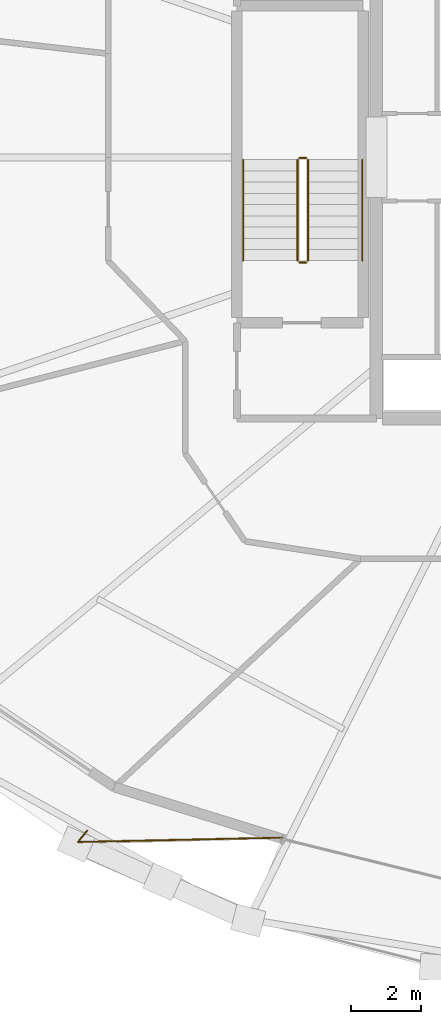
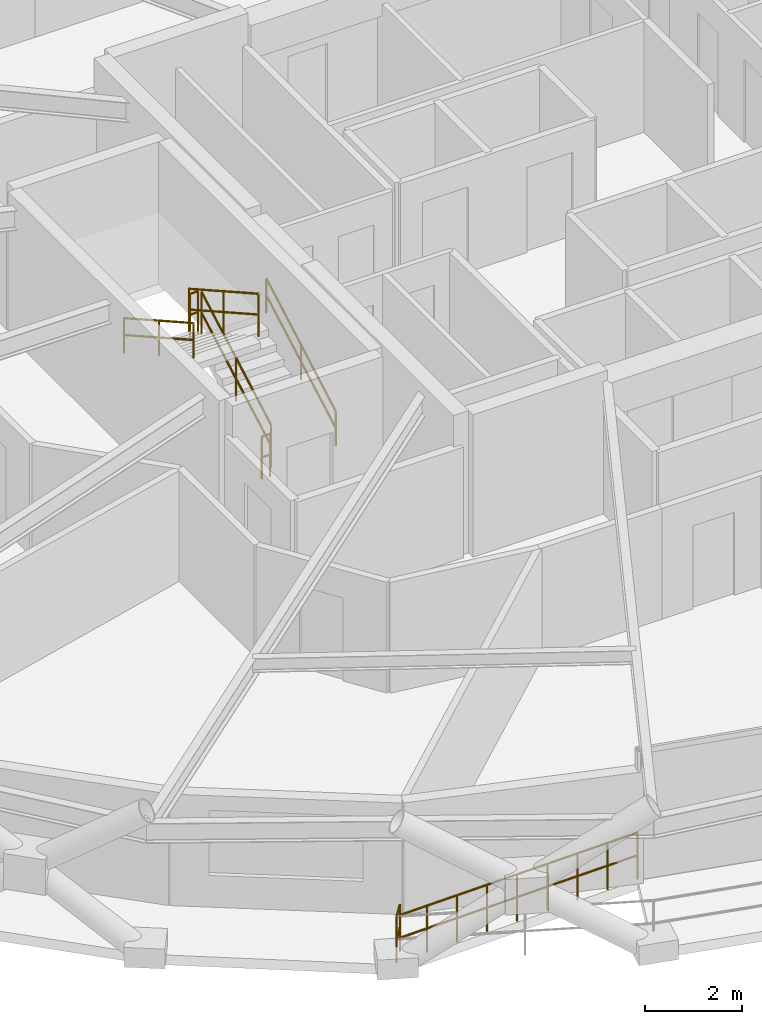
# One storey, part 20 of 22: 7 railings.
"""IFC4 building model written with IfcOpenShell, lengths in metres."""

from ifc_helpers import new_model, si_unit, direction, frame, origin, origin_2d, place, context, subcontext, project, spatial, circle, extrude, material, type_object, element, save


model = new_model("IFC4")

# Units and contexts
model_context = context("Model", 3, precision=1e-05, world=origin(), true_north=direction((0.0, 1.0)))
body_context = subcontext(model_context, "Body", "Model", "MODEL_VIEW")
ifc_project = project(units=[si_unit("LENGTHUNIT", "METRE"), si_unit("AREAUNIT", "SQUARE_METRE"), si_unit("VOLUMEUNIT", "CUBIC_METRE"), si_unit("PLANEANGLEUNIT", "RADIAN"), si_unit("MASSUNIT", "GRAM", prefix="KILO")], contexts=[model_context])

# Site, building, storey
site_placement = place(None, origin())
site = spatial("IfcSite", under=ifc_project, at=site_placement, CompositionType="ELEMENT")
building_placement = place(site_placement, origin())
building = spatial("IfcBuilding", under=site, at=building_placement, Name="Veldorina Hangang Commons", CompositionType="ELEMENT")
storey_placement = place(building_placement, frame((0.0, 0.0, 146.0)))
storey = spatial("IfcBuildingStorey", under=building, at=storey_placement, Name="L37", CompositionType="ELEMENT", Elevation=146.0)

# Railings
ifc_material_1 = material(Name="Glass Laminated Safety Balustrade", Category="glass")
railing_type_1 = type_object("IfcRailingType", Name="RL-BAL-LOGGIA", PredefinedType="BALUSTRADE", material=ifc_material_1)
railing_1_placement = place(storey_placement, frame((16.551513671875, 4.80078125, 0.0)))
element("IfcRailing", 1, at=railing_1_placement, inside=storey, type_object=railing_type_1, Name="L37 sky-garden loggia end balustrade A", PredefinedType="BALUSTRADE", context=body_context, shape_type="SweptSolid", body=[
    extrude(circle(Radius=0.02392578125, at=origin_2d()), frame((0.0, 0.0, 1.17578125), z_axis=(-0.62653614468, -0.779392365506, 0.0), x_axis=(0.779392365506, -0.62653614468, 0.0)), (0.0, 0.0, 1.0), 0.420166015625),
    extrude(circle(Radius=0.02392578125, at=origin_2d()), frame((0.0, 0.0, 0.60009765625), z_axis=(-0.62653614468, -0.779392365506, 0.0), x_axis=(0.779392365506, -0.62653614468, 0.0)), (0.0, 0.0, 1.0), 0.420166015625),
    extrude(circle(Radius=0.02392578125, at=origin_2d()), frame((-0.26318359375, -0.327392578125, 1.17578125), z_axis=(0.999772574395, 0.021326028397, 0.0), x_axis=(-0.021326028397, 0.999772574395, 0.0)), (0.0, 0.0, 1.0), 5.83837890625),
    extrude(circle(Radius=0.02392578125, at=origin_2d()), frame((-0.26318359375, -0.327392578125, 0.60009765625), z_axis=(0.999772574395, 0.021326028397, 0.0), x_axis=(-0.021326028397, 0.999772574395, 0.0)), (0.0, 0.0, 1.0), 5.83837890625),
    extrude(circle(Radius=0.02099609375, at=origin_2d()), origin(), (0.0, 0.0, 1.0), 1.15185546875),
    extrude(circle(Radius=0.02099609375, at=origin_2d()), frame((-0.26318359375, -0.327392578125, 0.0)), (0.0, 0.0, 1.0), 1.15185546875),
    extrude(circle(Radius=0.02099609375, at=origin_2d()), frame((0.466552734375, -0.311767578125, 0.0)), (0.0, 0.0, 1.0), 1.15185546875),
    extrude(circle(Radius=0.02099609375, at=origin_2d()), frame((1.196044921875, -0.29638671875, 0.0)), (0.0, 0.0, 1.0), 1.15185546875),
    extrude(circle(Radius=0.02099609375, at=origin_2d()), frame((1.92578125, -0.28076171875, 0.0)), (0.0, 0.0, 1.0), 1.15185546875),
    extrude(circle(Radius=0.02099609375, at=origin_2d()), frame((2.6552734375, -0.26513671875, 0.0)), (0.0, 0.0, 1.0), 1.15185546875),
    extrude(circle(Radius=0.02099609375, at=origin_2d()), frame((3.385009765625, -0.24951171875, 0.0)), (0.0, 0.0, 1.0), 1.15185546875),
    extrude(circle(Radius=0.02099609375, at=origin_2d()), frame((4.11474609375, -0.23388671875, 0.0)), (0.0, 0.0, 1.0), 1.15185546875),
    extrude(circle(Radius=0.02099609375, at=origin_2d()), frame((4.84423828125, -0.218505859375, 0.0)), (0.0, 0.0, 1.0), 1.15185546875),
    extrude(circle(Radius=0.02099609375, at=origin_2d()), frame((5.573974609375, -0.202880859375, 0.0)), (0.0, 0.0, 1.0), 1.15185546875),
])
ifc_material_2 = material(Name="Steel Painted Balustrade", Category="steel")
railing_type_2 = type_object("IfcRailingType", Name="RL-GRD-STAIR", PredefinedType="GUARDRAIL", material=ifc_material_2)
railing_2_placement = place(storey_placement, frame((22.85009765625, 21.050048828125, 0.179931640625)))
element("IfcRailing", 2, at=railing_2_placement, inside=storey, type_object=railing_type_2, Name="L37 ST-1 stair guard 1", PredefinedType="GUARDRAIL", context=body_context, shape_type="SweptSolid", body=[
    extrude(circle(Radius=0.02392578125, at=origin_2d()), frame((0.0, 0.0, 1.076171875), z_axis=(0.0, 0.87155185771, 0.490303333991), x_axis=(-1.0, 0.0, 0.0)), (0.0, 0.0, 1.0), 3.30419921875),
    extrude(circle(Radius=0.02392578125, at=origin_2d()), frame((0.0, 0.0, 0.550048828125), z_axis=(0.0, 0.87155185771, 0.490303333991), x_axis=(-1.0, 0.0, 0.0)), (0.0, 0.0, 1.0), 3.30419921875),
    extrude(circle(Radius=0.02099609375, at=origin_2d()), origin(), (0.0, 0.0, 1.0), 1.052001953125),
    extrude(circle(Radius=0.02099609375, at=origin_2d()), frame((0.0, 1.43994140625, 0.81005859375)), (0.0, 0.0, 1.0), 1.052001953125),
    extrude(circle(Radius=0.02099609375, at=origin_2d()), frame((0.0, 2.8798828125, 1.6201171875)), (0.0, 0.0, 1.0), 1.052001953125),
])
railing_3_placement = place(storey_placement, frame((22.800048828125, 23.97998046875, 1.800048828125)))
element("IfcRailing", 3, at=railing_3_placement, inside=storey, type_object=railing_type_2, Name="L37 ST-1 stair guard 2", PredefinedType="GUARDRAIL", context=body_context, shape_type="SweptSolid", body=[
    extrude(circle(Radius=0.02392578125, at=origin_2d()), frame((0.0, 0.0, 1.076171875), z_axis=(-1.0, 0.0, 0.0), x_axis=(0.0, -1.0, 0.0)), (0.0, 0.0, 1.0), 0.199951171875),
    extrude(circle(Radius=0.02392578125, at=origin_2d()), frame((0.0, 0.0, 0.550048828125), z_axis=(-1.0, 0.0, 0.0), x_axis=(0.0, -1.0, 0.0)), (0.0, 0.0, 1.0), 0.199951171875),
    extrude(circle(Radius=0.02099609375, at=origin_2d()), origin(), (0.0, 0.0, 1.0), 1.052001953125),
    extrude(circle(Radius=0.02099609375, at=origin_2d()), frame((-0.199951171875, 0.0, 0.0)), (0.0, 0.0, 1.0), 1.052001953125),
])
railing_4_placement = place(storey_placement, frame((22.550048828125, 23.929931640625, 1.97998046875)))
element("IfcRailing", 4, at=railing_4_placement, inside=storey, type_object=railing_type_2, Name="L37 ST-1 stair guard 3", PredefinedType="GUARDRAIL", context=body_context, shape_type="SweptSolid", body=[
    extrude(circle(Radius=0.02392578125, at=origin_2d()), frame((0.0, 0.0, 1.076171875), z_axis=(0.0, -0.87155185771, 0.490303333991), x_axis=(1.0, 0.0, 0.0)), (0.0, 0.0, 1.0), 3.30419921875),
    extrude(circle(Radius=0.02392578125, at=origin_2d()), frame((0.0, 0.0, 0.550048828125), z_axis=(0.0, -0.87155185771, 0.490303333991), x_axis=(1.0, 0.0, 0.0)), (0.0, 0.0, 1.0), 3.30419921875),
    extrude(circle(Radius=0.02099609375, at=origin_2d()), origin(), (0.0, 0.0, 1.0), 1.052001953125),
    extrude(circle(Radius=0.02099609375, at=origin_2d()), frame((0.0, -1.43994140625, 0.81005859375)), (0.0, 0.0, 1.0), 1.052001953125),
    extrude(circle(Radius=0.02099609375, at=origin_2d()), frame((0.0, -2.8798828125, 1.6201171875)), (0.0, 0.0, 1.0), 1.052001953125),
])
railing_5_placement = place(storey_placement, frame((22.800048828125, 21.0, 0.0)))
element("IfcRailing", 5, at=railing_5_placement, inside=storey, type_object=railing_type_2, Name="L37 ST-1 stair guard 4", PredefinedType="GUARDRAIL", context=body_context, shape_type="SweptSolid", body=[
    extrude(circle(Radius=0.02392578125, at=origin_2d()), frame((0.0, 0.0, 1.076171875), z_axis=(-1.0, 0.0, 0.0), x_axis=(0.0, -1.0, 0.0)), (0.0, 0.0, 1.0), 0.199951171875),
    extrude(circle(Radius=0.02392578125, at=origin_2d()), frame((0.0, 0.0, 0.550048828125), z_axis=(-1.0, 0.0, 0.0), x_axis=(0.0, -1.0, 0.0)), (0.0, 0.0, 1.0), 0.199951171875),
    extrude(circle(Radius=0.02099609375, at=origin_2d()), origin(), (0.0, 0.0, 1.0), 1.052001953125),
    extrude(circle(Radius=0.02099609375, at=origin_2d()), frame((-0.199951171875, 0.0, 0.0)), (0.0, 0.0, 1.0), 1.052001953125),
])
ifc_material_3 = material(Name="Stainless Steel Brushed 316", Category="steel")
railing_type_3 = type_object("IfcRailingType", Name="RL-HND-STAIR", PredefinedType="HANDRAIL", material=ifc_material_3)
railing_6_placement = place(storey_placement, frame((24.39990234375, 21.050048828125, 0.179931640625)))
element("IfcRailing", 6, at=railing_6_placement, inside=storey, type_object=railing_type_3, Name="L37 ST-1 stair handrail 1", PredefinedType="HANDRAIL", context=body_context, shape_type="SweptSolid", body=[
    extrude(circle(Radius=0.02392578125, at=origin_2d()), frame((0.0, 0.0, 0.8759765625), z_axis=(0.0, 0.87155185771, 0.490303333991), x_axis=(-1.0, 0.0, 0.0)), (0.0, 0.0, 1.0), 3.30419921875),
    extrude(circle(Radius=0.02392578125, at=origin_2d()), frame((0.0, 0.0, 0.449951171875), z_axis=(0.0, 0.87155185771, 0.490303333991), x_axis=(-1.0, 0.0, 0.0)), (0.0, 0.0, 1.0), 3.30419921875),
    extrude(circle(Radius=0.02099609375, at=origin_2d()), origin(), (0.0, 0.0, 1.0), 0.851806640625),
    extrude(circle(Radius=0.02099609375, at=origin_2d()), frame((0.0, 1.43994140625, 0.81005859375)), (0.0, 0.0, 1.0), 0.851806640625),
    extrude(circle(Radius=0.02099609375, at=origin_2d()), frame((0.0, 2.8798828125, 1.6201171875)), (0.0, 0.0, 1.0), 0.851806640625),
])
railing_7_placement = place(storey_placement, frame((21.0, 23.929931640625, 1.97998046875)))
element("IfcRailing", 7, at=railing_7_placement, inside=storey, type_object=railing_type_3, Name="L37 ST-1 stair handrail 2", PredefinedType="HANDRAIL", context=body_context, shape_type="SweptSolid", body=[
    extrude(circle(Radius=0.02392578125, at=origin_2d()), frame((0.0, 0.0, 0.8759765625), z_axis=(0.0, -0.87155185771, 0.490303333991), x_axis=(1.0, 0.0, 0.0)), (0.0, 0.0, 1.0), 3.30419921875),
    extrude(circle(Radius=0.02392578125, at=origin_2d()), frame((0.0, 0.0, 0.449951171875), z_axis=(0.0, -0.87155185771, 0.490303333991), x_axis=(1.0, 0.0, 0.0)), (0.0, 0.0, 1.0), 3.30419921875),
    extrude(circle(Radius=0.02099609375, at=origin_2d()), origin(), (0.0, 0.0, 1.0), 0.851806640625),
    extrude(circle(Radius=0.02099609375, at=origin_2d()), frame((0.0, -1.43994140625, 0.81005859375)), (0.0, 0.0, 1.0), 0.851806640625),
    extrude(circle(Radius=0.02099609375, at=origin_2d()), frame((0.0, -2.8798828125, 1.6201171875)), (0.0, 0.0, 1.0), 0.851806640625),
])

save(model, "model.ifc")
